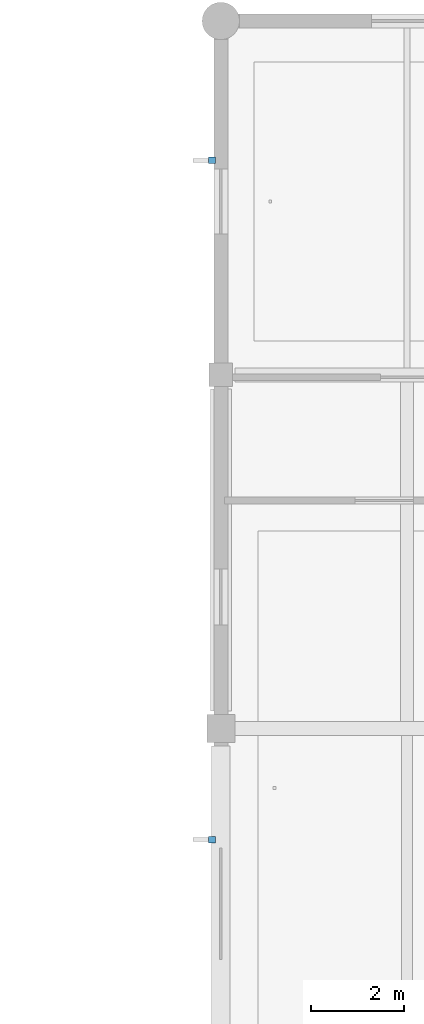
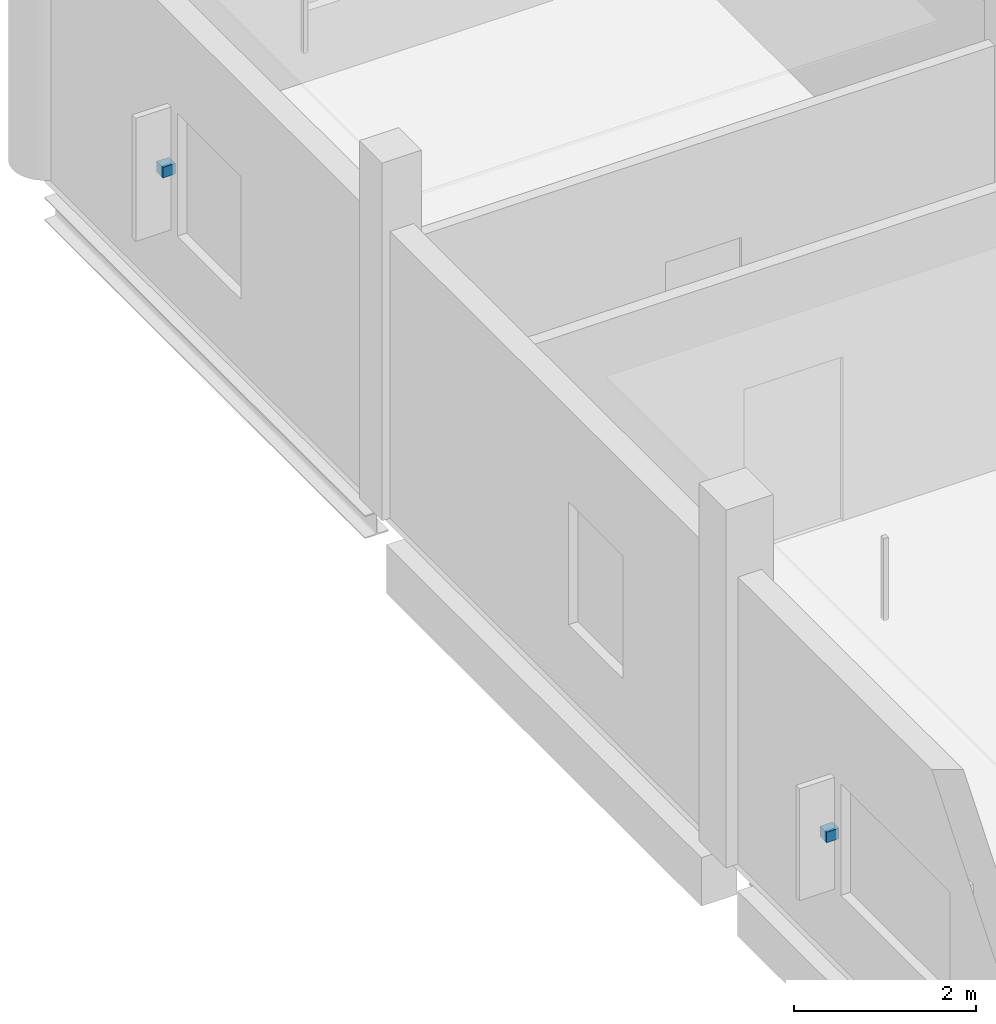
# One storey, part 126 of 147: 2 discrete accessories.
"""IFC4 building model written with IfcOpenShell, lengths in metres."""

from ifc_helpers import new_model, si_unit, direction, frame, origin, origin_2d, place, context, subcontext, project, spatial, rectangle, extrude, material, type_object, element, save


model = new_model("IFC4")

# Units and contexts
model_context = context("Model", 3, precision=1e-05, world=origin(), true_north=direction((0.0, 1.0)))
body_context = subcontext(model_context, "Body", "Model", "MODEL_VIEW")
ifc_project = project(units=[si_unit("LENGTHUNIT", "METRE"), si_unit("AREAUNIT", "SQUARE_METRE"), si_unit("VOLUMEUNIT", "CUBIC_METRE"), si_unit("PLANEANGLEUNIT", "RADIAN"), si_unit("MASSUNIT", "GRAM", prefix="KILO")], contexts=[model_context])

# Site, building, storey
site_placement = place(None, origin())
site = spatial("IfcSite", under=ifc_project, at=site_placement, CompositionType="ELEMENT")
building_placement = place(site_placement, origin())
building = spatial("IfcBuilding", under=site, at=building_placement, Name="Khelvaren Railside Concert Hall", CompositionType="ELEMENT")
storey_placement = place(building_placement, frame((0.0, 0.0, 5.39990234375)))
storey = spatial("IfcBuildingStorey", under=building, at=storey_placement, Name="L01", CompositionType="ELEMENT", Elevation=5.39990234375)

# Discrete accessories
ifc_material = material(Name="Architectural stainless steel Grade 316", Category="steel")
discrete_accessory_type = type_object("IfcDiscreteAccessoryType", Name="BRK87", PredefinedType="BRACKET", material=ifc_material)
for number, where, z_axis, x_axis, name in (
    (1, (127.81005859375, 96.41748046875, 1.63037109375), (0.0, 0.0, 1.0), (0.0, 1.0, 0.0), "Solar Fin Bracket EW-V5-L01-W-91"),
    (2, (127.81005859375, 111.0048828125, 1.705078125), (0.0, 0.0, 1.0), (0.0, 1.0, 0.0), "Solar Fin Bracket EW-V5-L01-W-106"),
):
    element("IfcDiscreteAccessory", number, at=place(storey_placement, frame(where, z_axis=z_axis, x_axis=x_axis)), inside=storey, type_object=discrete_accessory_type, Name=name, PredefinedType="BRACKET", context=body_context, shape_type="SweptSolid", body=[
        extrude(rectangle(XDim=0.139892578125, YDim=0.159912109375, at=origin_2d()), origin(), (0.0, 0.0, 1.0), 0.139892578125),
    ])

save(model, "model.ifc")
